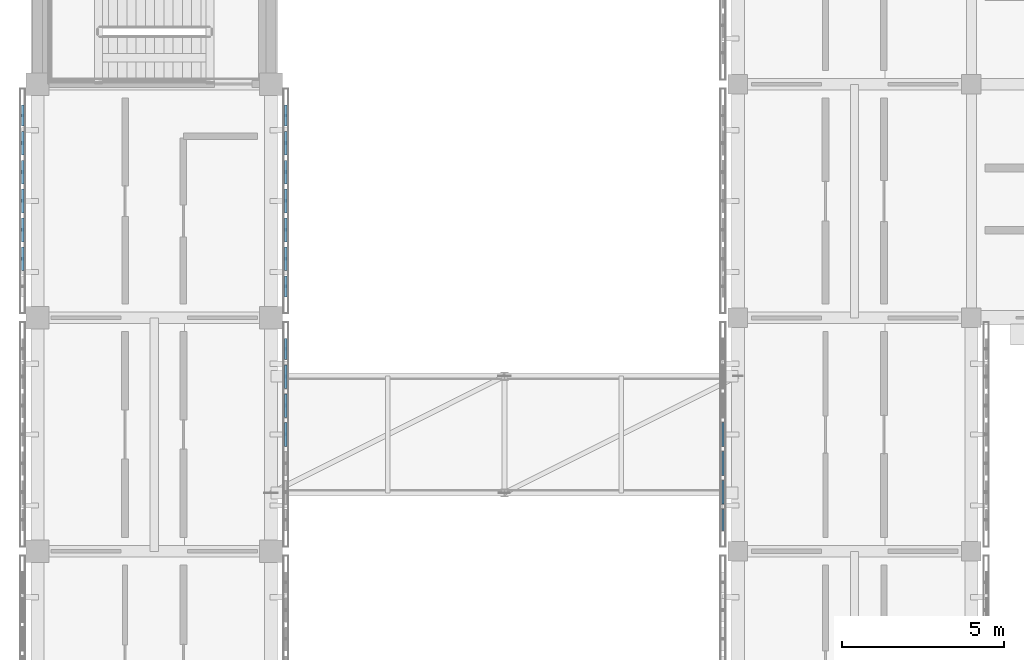
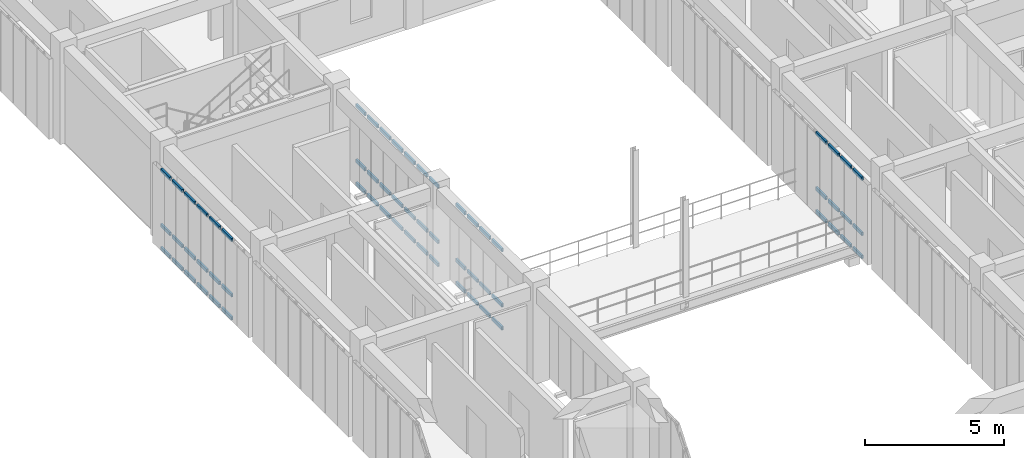
# One storey, part 80 of 171: 63 members, 4 elements without a shape of their own.
"""IFC4 building model written with IfcOpenShell, lengths in metres."""

from ifc_helpers import new_model, si_unit, direction, frame, origin, origin_2d, place, context, subcontext, project, spatial, hollow_rectangle, extrude, material, material_profile, profile_set, type_object, element, aggregate, save


model = new_model("IFC4")

# Units and contexts
model_context = context("Model", 3, precision=1e-05, world=origin(), true_north=direction((0.0, 1.0)))
body_context = subcontext(model_context, "Body", "Model", "MODEL_VIEW")
ifc_project = project(units=[si_unit("LENGTHUNIT", "METRE"), si_unit("AREAUNIT", "SQUARE_METRE"), si_unit("VOLUMEUNIT", "CUBIC_METRE"), si_unit("PLANEANGLEUNIT", "RADIAN"), si_unit("MASSUNIT", "GRAM", prefix="KILO")], contexts=[model_context])

# Site, building, storey
site_placement = place(None, origin())
site = spatial("IfcSite", under=ifc_project, at=site_placement, CompositionType="ELEMENT")
building_placement = place(site_placement, origin())
building = spatial("IfcBuilding", under=site, at=building_placement, Name="Aldebral Square Health Centre", CompositionType="ELEMENT")
storey_placement = place(building_placement, frame((0.0, 0.0, 4.5)))
storey = spatial("IfcBuildingStorey", under=building, at=storey_placement, Name="L01", CompositionType="ELEMENT", Elevation=4.5)

# Curtain wall, members
ifc_material_1 = material(Name="Aluminium and low-E solar glass", Category="aluminium")
curtain_wall_type = type_object("IfcCurtainWallType", Name="CW-FIN-SYS", PredefinedType="USERDEFINED", material=ifc_material_1)
curtain_wall_1_placement = place(storey_placement, origin())
curtain_wall_1 = element("IfcCurtainWall", 1, at=curtain_wall_1_placement, inside=storey, type_object=curtain_wall_type, Name="L01 V4 finned curtain wall L01-V4-00-11-E", ObjectType="SOLAR_CURTAIN_WALL", PredefinedType="USERDEFINED")
ifc_material_2 = material(Name="Anodised aluminium transom", Category="aluminium")
ifc_material_profile = material_profile(ifc_material_2, hollow_rectangle(XDim=0.074951171875, YDim=0.14990234375, WallThickness=0.00390625, at=origin_2d()), Name="CWT 75x150x4")
ifc_profile_set = profile_set([ifc_material_profile], Name="Anodised aluminium transom")
member_type = type_object("IfcMemberType", Name="CWT-STD", PredefinedType="USERDEFINED", material=ifc_profile_set)
member_1_placement = place(storey_placement, frame((7.659912109375, 82.434326171875, 0.03759765625), z_axis=(0.0, 1.0, 0.0), x_axis=(-1.0, 0.0, 0.0)))
member_1 = element("IfcMember", 2, at=member_1_placement, type_object=member_type, Name="CW1 transom 4.1", ObjectType="TRANSOM", PredefinedType="USERDEFINED", context=body_context, shape_type="SweptSolid", body=[
    extrude(hollow_rectangle(XDim=0.074951171875, YDim=0.14990234375, WallThickness=0.00390625, at=origin_2d()), origin(), (0.0, 0.0, 1.0), 0.7314453125),
])
member_2_placement = place(storey_placement, frame((7.659912109375, 82.434326171875, 1.050048828125), z_axis=(0.0, 1.0, 0.0), x_axis=(-1.0, 0.0, 0.0)))
member_2 = element("IfcMember", 3, at=member_2_placement, type_object=member_type, Name="CW1 transom 4.2", ObjectType="TRANSOM", PredefinedType="USERDEFINED", context=body_context, shape_type="SweptSolid", body=[
    extrude(hollow_rectangle(XDim=0.074951171875, YDim=0.14990234375, WallThickness=0.00390625, at=origin_2d()), origin(), (0.0, 0.0, 1.0), 0.7314453125),
])
member_3_placement = place(storey_placement, frame((7.659912109375, 82.434326171875, 3.482421875), z_axis=(0.0, 1.0, 0.0), x_axis=(-1.0, 0.0, 0.0)))
member_3 = element("IfcMember", 4, at=member_3_placement, type_object=member_type, Name="CW1 transom 4.3", ObjectType="TRANSOM", PredefinedType="USERDEFINED", context=body_context, shape_type="SweptSolid", body=[
    extrude(hollow_rectangle(XDim=0.074951171875, YDim=0.14990234375, WallThickness=0.00390625, at=origin_2d()), origin(), (0.0, 0.0, 1.0), 0.7314453125),
])
member_4_placement = place(storey_placement, frame((7.659912109375, 83.32568359375, 0.03759765625), z_axis=(0.0, 1.0, 0.0), x_axis=(-1.0, 0.0, 0.0)))
member_4 = element("IfcMember", 5, at=member_4_placement, type_object=member_type, Name="CW1 transom 5.1", ObjectType="TRANSOM", PredefinedType="USERDEFINED", context=body_context, shape_type="SweptSolid", body=[
    extrude(hollow_rectangle(XDim=0.074951171875, YDim=0.14990234375, WallThickness=0.00390625, at=origin_2d()), origin(), (0.0, 0.0, 1.0), 0.7314453125),
])
member_5_placement = place(storey_placement, frame((7.659912109375, 83.32568359375, 1.050048828125), z_axis=(0.0, 1.0, 0.0), x_axis=(-1.0, 0.0, 0.0)))
member_5 = element("IfcMember", 6, at=member_5_placement, type_object=member_type, Name="CW1 transom 5.2", ObjectType="TRANSOM", PredefinedType="USERDEFINED", context=body_context, shape_type="SweptSolid", body=[
    extrude(hollow_rectangle(XDim=0.074951171875, YDim=0.14990234375, WallThickness=0.00390625, at=origin_2d()), origin(), (0.0, 0.0, 1.0), 0.7314453125),
])
member_6_placement = place(storey_placement, frame((7.659912109375, 83.32568359375, 3.482421875), z_axis=(0.0, 1.0, 0.0), x_axis=(-1.0, 0.0, 0.0)))
member_6 = element("IfcMember", 7, at=member_6_placement, type_object=member_type, Name="CW1 transom 5.3", ObjectType="TRANSOM", PredefinedType="USERDEFINED", context=body_context, shape_type="SweptSolid", body=[
    extrude(hollow_rectangle(XDim=0.074951171875, YDim=0.14990234375, WallThickness=0.00390625, at=origin_2d()), origin(), (0.0, 0.0, 1.0), 0.7314453125),
])
member_7_placement = place(storey_placement, frame((7.659912109375, 84.217041015625, 0.03759765625), z_axis=(0.0, 1.0, 0.0), x_axis=(-1.0, 0.0, 0.0)))
member_7 = element("IfcMember", 8, at=member_7_placement, type_object=member_type, Name="CW1 transom 6.1", ObjectType="TRANSOM", PredefinedType="USERDEFINED", context=body_context, shape_type="SweptSolid", body=[
    extrude(hollow_rectangle(XDim=0.074951171875, YDim=0.14990234375, WallThickness=0.00390625, at=origin_2d()), origin(), (0.0, 0.0, 1.0), 0.7314453125),
])
member_8_placement = place(storey_placement, frame((7.659912109375, 84.217041015625, 1.050048828125), z_axis=(0.0, 1.0, 0.0), x_axis=(-1.0, 0.0, 0.0)))
member_8 = element("IfcMember", 9, at=member_8_placement, type_object=member_type, Name="CW1 transom 6.2", ObjectType="TRANSOM", PredefinedType="USERDEFINED", context=body_context, shape_type="SweptSolid", body=[
    extrude(hollow_rectangle(XDim=0.074951171875, YDim=0.14990234375, WallThickness=0.00390625, at=origin_2d()), origin(), (0.0, 0.0, 1.0), 0.7314453125),
])
member_9_placement = place(storey_placement, frame((7.659912109375, 84.217041015625, 3.482421875), z_axis=(0.0, 1.0, 0.0), x_axis=(-1.0, 0.0, 0.0)))
member_9 = element("IfcMember", 10, at=member_9_placement, type_object=member_type, Name="CW1 transom 6.3", ObjectType="TRANSOM", PredefinedType="USERDEFINED", context=body_context, shape_type="SweptSolid", body=[
    extrude(hollow_rectangle(XDim=0.074951171875, YDim=0.14990234375, WallThickness=0.00390625, at=origin_2d()), origin(), (0.0, 0.0, 1.0), 0.7314453125),
])
member_10_placement = place(storey_placement, frame((7.659912109375, 85.108642578125, 0.03759765625), z_axis=(0.0, 1.0, 0.0), x_axis=(-1.0, 0.0, 0.0)))
member_10 = element("IfcMember", 11, at=member_10_placement, type_object=member_type, Name="CW1 transom 7.1", ObjectType="TRANSOM", PredefinedType="USERDEFINED", context=body_context, shape_type="SweptSolid", body=[
    extrude(hollow_rectangle(XDim=0.074951171875, YDim=0.14990234375, WallThickness=0.00390625, at=origin_2d()), origin(), (0.0, 0.0, 1.0), 0.6513671875),
])
member_11_placement = place(storey_placement, frame((7.659912109375, 85.108642578125, 1.050048828125), z_axis=(0.0, 1.0, 0.0), x_axis=(-1.0, 0.0, 0.0)))
member_11 = element("IfcMember", 12, at=member_11_placement, type_object=member_type, Name="CW1 transom 7.2", ObjectType="TRANSOM", PredefinedType="USERDEFINED", context=body_context, shape_type="SweptSolid", body=[
    extrude(hollow_rectangle(XDim=0.074951171875, YDim=0.14990234375, WallThickness=0.00390625, at=origin_2d()), origin(), (0.0, 0.0, 1.0), 0.6513671875),
])
member_12_placement = place(storey_placement, frame((7.659912109375, 85.108642578125, 3.482421875), z_axis=(0.0, 1.0, 0.0), x_axis=(-1.0, 0.0, 0.0)))
member_12 = element("IfcMember", 13, at=member_12_placement, type_object=member_type, Name="CW1 transom 7.3", ObjectType="TRANSOM", PredefinedType="USERDEFINED", context=body_context, shape_type="SweptSolid", body=[
    extrude(hollow_rectangle(XDim=0.074951171875, YDim=0.14990234375, WallThickness=0.00390625, at=origin_2d()), origin(), (0.0, 0.0, 1.0), 0.6513671875),
])
aggregate(curtain_wall_1, [member_1, member_2, member_3, member_4, member_5, member_6, member_7, member_8, member_9, member_10, member_11, member_12])

curtain_wall_2_placement = place(storey_placement, origin())
curtain_wall_2 = element("IfcCurtainWall", 14, at=curtain_wall_2_placement, inside=storey, type_object=curtain_wall_type, Name="L01 V4 finned curtain wall L01-V4-00-12-W", ObjectType="SOLAR_CURTAIN_WALL", PredefinedType="USERDEFINED")
member_13_placement = place(storey_placement, frame((-0.4599609375, 92.9599609375, 0.03759765625), z_axis=(0.0, -1.0, 0.0), x_axis=(1.0, 0.0, 0.0)))
member_13 = element("IfcMember", 15, at=member_13_placement, type_object=member_type, Name="CW1 transom 1.1", ObjectType="TRANSOM", PredefinedType="USERDEFINED", context=body_context, shape_type="SweptSolid", body=[
    extrude(hollow_rectangle(XDim=0.074951171875, YDim=0.14990234375, WallThickness=0.00390625, at=origin_2d()), origin(), (0.0, 0.0, 1.0), 0.6513671875),
])
member_14_placement = place(storey_placement, frame((-0.4599609375, 92.9599609375, 1.050048828125), z_axis=(0.0, -1.0, 0.0), x_axis=(1.0, 0.0, 0.0)))
member_14 = element("IfcMember", 16, at=member_14_placement, type_object=member_type, Name="CW1 transom 1.2", ObjectType="TRANSOM", PredefinedType="USERDEFINED", context=body_context, shape_type="SweptSolid", body=[
    extrude(hollow_rectangle(XDim=0.074951171875, YDim=0.14990234375, WallThickness=0.00390625, at=origin_2d()), origin(), (0.0, 0.0, 1.0), 0.6513671875),
])
member_15_placement = place(storey_placement, frame((-0.4599609375, 92.9599609375, 3.482421875), z_axis=(0.0, -1.0, 0.0), x_axis=(1.0, 0.0, 0.0)))
member_15 = element("IfcMember", 17, at=member_15_placement, type_object=member_type, Name="CW1 transom 1.3", ObjectType="TRANSOM", PredefinedType="USERDEFINED", context=body_context, shape_type="SweptSolid", body=[
    extrude(hollow_rectangle(XDim=0.074951171875, YDim=0.14990234375, WallThickness=0.00390625, at=origin_2d()), origin(), (0.0, 0.0, 1.0), 0.6513671875),
])
member_16_placement = place(storey_placement, frame((-0.4599609375, 92.148681640625, 0.03759765625), z_axis=(0.0, -1.0, 0.0), x_axis=(1.0, 0.0, 0.0)))
member_16 = element("IfcMember", 18, at=member_16_placement, type_object=member_type, Name="CW1 transom 2.1", ObjectType="TRANSOM", PredefinedType="USERDEFINED", context=body_context, shape_type="SweptSolid", body=[
    extrude(hollow_rectangle(XDim=0.074951171875, YDim=0.14990234375, WallThickness=0.00390625, at=origin_2d()), origin(), (0.0, 0.0, 1.0), 0.7314453125),
])
member_17_placement = place(storey_placement, frame((-0.4599609375, 92.148681640625, 1.050048828125), z_axis=(0.0, -1.0, 0.0), x_axis=(1.0, 0.0, 0.0)))
member_17 = element("IfcMember", 19, at=member_17_placement, type_object=member_type, Name="CW1 transom 2.2", ObjectType="TRANSOM", PredefinedType="USERDEFINED", context=body_context, shape_type="SweptSolid", body=[
    extrude(hollow_rectangle(XDim=0.074951171875, YDim=0.14990234375, WallThickness=0.00390625, at=origin_2d()), origin(), (0.0, 0.0, 1.0), 0.7314453125),
])
member_18_placement = place(storey_placement, frame((-0.4599609375, 92.148681640625, 3.482421875), z_axis=(0.0, -1.0, 0.0), x_axis=(1.0, 0.0, 0.0)))
member_18 = element("IfcMember", 20, at=member_18_placement, type_object=member_type, Name="CW1 transom 2.3", ObjectType="TRANSOM", PredefinedType="USERDEFINED", context=body_context, shape_type="SweptSolid", body=[
    extrude(hollow_rectangle(XDim=0.074951171875, YDim=0.14990234375, WallThickness=0.00390625, at=origin_2d()), origin(), (0.0, 0.0, 1.0), 0.7314453125),
])
member_19_placement = place(storey_placement, frame((-0.4599609375, 91.257080078125, 0.03759765625), z_axis=(0.0, -1.0, 0.0), x_axis=(1.0, 0.0, 0.0)))
member_19 = element("IfcMember", 21, at=member_19_placement, type_object=member_type, Name="CW1 transom 3.1", ObjectType="TRANSOM", PredefinedType="USERDEFINED", context=body_context, shape_type="SweptSolid", body=[
    extrude(hollow_rectangle(XDim=0.074951171875, YDim=0.14990234375, WallThickness=0.00390625, at=origin_2d()), origin(), (0.0, 0.0, 1.0), 0.7314453125),
])
member_20_placement = place(storey_placement, frame((-0.4599609375, 91.257080078125, 1.050048828125), z_axis=(0.0, -1.0, 0.0), x_axis=(1.0, 0.0, 0.0)))
member_20 = element("IfcMember", 22, at=member_20_placement, type_object=member_type, Name="CW1 transom 3.2", ObjectType="TRANSOM", PredefinedType="USERDEFINED", context=body_context, shape_type="SweptSolid", body=[
    extrude(hollow_rectangle(XDim=0.074951171875, YDim=0.14990234375, WallThickness=0.00390625, at=origin_2d()), origin(), (0.0, 0.0, 1.0), 0.7314453125),
])
member_21_placement = place(storey_placement, frame((-0.4599609375, 91.257080078125, 3.482421875), z_axis=(0.0, -1.0, 0.0), x_axis=(1.0, 0.0, 0.0)))
member_21 = element("IfcMember", 23, at=member_21_placement, type_object=member_type, Name="CW1 transom 3.3", ObjectType="TRANSOM", PredefinedType="USERDEFINED", context=body_context, shape_type="SweptSolid", body=[
    extrude(hollow_rectangle(XDim=0.074951171875, YDim=0.14990234375, WallThickness=0.00390625, at=origin_2d()), origin(), (0.0, 0.0, 1.0), 0.7314453125),
])
member_22_placement = place(storey_placement, frame((-0.4599609375, 90.36572265625, 0.03759765625), z_axis=(0.0, -1.0, 0.0), x_axis=(1.0, 0.0, 0.0)))
member_22 = element("IfcMember", 24, at=member_22_placement, type_object=member_type, Name="CW1 transom 4.1", ObjectType="TRANSOM", PredefinedType="USERDEFINED", context=body_context, shape_type="SweptSolid", body=[
    extrude(hollow_rectangle(XDim=0.074951171875, YDim=0.14990234375, WallThickness=0.00390625, at=origin_2d()), origin(), (0.0, 0.0, 1.0), 0.7314453125),
])
member_23_placement = place(storey_placement, frame((-0.4599609375, 90.36572265625, 1.050048828125), z_axis=(0.0, -1.0, 0.0), x_axis=(1.0, 0.0, 0.0)))
member_23 = element("IfcMember", 25, at=member_23_placement, type_object=member_type, Name="CW1 transom 4.2", ObjectType="TRANSOM", PredefinedType="USERDEFINED", context=body_context, shape_type="SweptSolid", body=[
    extrude(hollow_rectangle(XDim=0.074951171875, YDim=0.14990234375, WallThickness=0.00390625, at=origin_2d()), origin(), (0.0, 0.0, 1.0), 0.7314453125),
])
member_24_placement = place(storey_placement, frame((-0.4599609375, 90.36572265625, 3.482421875), z_axis=(0.0, -1.0, 0.0), x_axis=(1.0, 0.0, 0.0)))
member_24 = element("IfcMember", 26, at=member_24_placement, type_object=member_type, Name="CW1 transom 4.3", ObjectType="TRANSOM", PredefinedType="USERDEFINED", context=body_context, shape_type="SweptSolid", body=[
    extrude(hollow_rectangle(XDim=0.074951171875, YDim=0.14990234375, WallThickness=0.00390625, at=origin_2d()), origin(), (0.0, 0.0, 1.0), 0.7314453125),
])
member_25_placement = place(storey_placement, frame((-0.4599609375, 89.474365234375, 0.03759765625), z_axis=(0.0, -1.0, 0.0), x_axis=(1.0, 0.0, 0.0)))
member_25 = element("IfcMember", 27, at=member_25_placement, type_object=member_type, Name="CW1 transom 5.1", ObjectType="TRANSOM", PredefinedType="USERDEFINED", context=body_context, shape_type="SweptSolid", body=[
    extrude(hollow_rectangle(XDim=0.074951171875, YDim=0.14990234375, WallThickness=0.00390625, at=origin_2d()), origin(), (0.0, 0.0, 1.0), 0.7314453125),
])
member_26_placement = place(storey_placement, frame((-0.4599609375, 89.474365234375, 1.050048828125), z_axis=(0.0, -1.0, 0.0), x_axis=(1.0, 0.0, 0.0)))
member_26 = element("IfcMember", 28, at=member_26_placement, type_object=member_type, Name="CW1 transom 5.2", ObjectType="TRANSOM", PredefinedType="USERDEFINED", context=body_context, shape_type="SweptSolid", body=[
    extrude(hollow_rectangle(XDim=0.074951171875, YDim=0.14990234375, WallThickness=0.00390625, at=origin_2d()), origin(), (0.0, 0.0, 1.0), 0.7314453125),
])
member_27_placement = place(storey_placement, frame((-0.4599609375, 89.474365234375, 3.482421875), z_axis=(0.0, -1.0, 0.0), x_axis=(1.0, 0.0, 0.0)))
member_27 = element("IfcMember", 29, at=member_27_placement, type_object=member_type, Name="CW1 transom 5.3", ObjectType="TRANSOM", PredefinedType="USERDEFINED", context=body_context, shape_type="SweptSolid", body=[
    extrude(hollow_rectangle(XDim=0.074951171875, YDim=0.14990234375, WallThickness=0.00390625, at=origin_2d()), origin(), (0.0, 0.0, 1.0), 0.7314453125),
])
member_28_placement = place(storey_placement, frame((-0.4599609375, 88.582763671875, 0.03759765625), z_axis=(0.0, -1.0, 0.0), x_axis=(1.0, 0.0, 0.0)))
member_28 = element("IfcMember", 30, at=member_28_placement, type_object=member_type, Name="CW1 transom 6.1", ObjectType="TRANSOM", PredefinedType="USERDEFINED", context=body_context, shape_type="SweptSolid", body=[
    extrude(hollow_rectangle(XDim=0.074951171875, YDim=0.14990234375, WallThickness=0.00390625, at=origin_2d()), origin(), (0.0, 0.0, 1.0), 0.7314453125),
])
member_29_placement = place(storey_placement, frame((-0.4599609375, 88.582763671875, 1.050048828125), z_axis=(0.0, -1.0, 0.0), x_axis=(1.0, 0.0, 0.0)))
member_29 = element("IfcMember", 31, at=member_29_placement, type_object=member_type, Name="CW1 transom 6.2", ObjectType="TRANSOM", PredefinedType="USERDEFINED", context=body_context, shape_type="SweptSolid", body=[
    extrude(hollow_rectangle(XDim=0.074951171875, YDim=0.14990234375, WallThickness=0.00390625, at=origin_2d()), origin(), (0.0, 0.0, 1.0), 0.7314453125),
])
member_30_placement = place(storey_placement, frame((-0.4599609375, 88.582763671875, 3.482421875), z_axis=(0.0, -1.0, 0.0), x_axis=(1.0, 0.0, 0.0)))
member_30 = element("IfcMember", 32, at=member_30_placement, type_object=member_type, Name="CW1 transom 6.3", ObjectType="TRANSOM", PredefinedType="USERDEFINED", context=body_context, shape_type="SweptSolid", body=[
    extrude(hollow_rectangle(XDim=0.074951171875, YDim=0.14990234375, WallThickness=0.00390625, at=origin_2d()), origin(), (0.0, 0.0, 1.0), 0.7314453125),
])
aggregate(curtain_wall_2, [member_13, member_14, member_15, member_16, member_17, member_18, member_19, member_20, member_21, member_22, member_23, member_24, member_25, member_26, member_27, member_28, member_29, member_30])

curtain_wall_3_placement = place(storey_placement, origin())
curtain_wall_3 = element("IfcCurtainWall", 33, at=curtain_wall_3_placement, inside=storey, type_object=curtain_wall_type, Name="L01 V4 finned curtain wall L01-V4-00-12-E", ObjectType="SOLAR_CURTAIN_WALL", PredefinedType="USERDEFINED")
member_31_placement = place(storey_placement, frame((7.659912109375, 87.0400390625, 0.03759765625), z_axis=(0.0, 1.0, 0.0), x_axis=(-1.0, 0.0, 0.0)))
member_31 = element("IfcMember", 34, at=member_31_placement, type_object=member_type, Name="CW1 transom 1.1", ObjectType="TRANSOM", PredefinedType="USERDEFINED", context=body_context, shape_type="SweptSolid", body=[
    extrude(hollow_rectangle(XDim=0.074951171875, YDim=0.14990234375, WallThickness=0.00390625, at=origin_2d()), origin(), (0.0, 0.0, 1.0), 0.6513671875),
])
member_32_placement = place(storey_placement, frame((7.659912109375, 87.0400390625, 1.050048828125), z_axis=(0.0, 1.0, 0.0), x_axis=(-1.0, 0.0, 0.0)))
member_32 = element("IfcMember", 35, at=member_32_placement, type_object=member_type, Name="CW1 transom 1.2", ObjectType="TRANSOM", PredefinedType="USERDEFINED", context=body_context, shape_type="SweptSolid", body=[
    extrude(hollow_rectangle(XDim=0.074951171875, YDim=0.14990234375, WallThickness=0.00390625, at=origin_2d()), origin(), (0.0, 0.0, 1.0), 0.6513671875),
])
member_33_placement = place(storey_placement, frame((7.659912109375, 87.0400390625, 3.482421875), z_axis=(0.0, 1.0, 0.0), x_axis=(-1.0, 0.0, 0.0)))
member_33 = element("IfcMember", 36, at=member_33_placement, type_object=member_type, Name="CW1 transom 1.3", ObjectType="TRANSOM", PredefinedType="USERDEFINED", context=body_context, shape_type="SweptSolid", body=[
    extrude(hollow_rectangle(XDim=0.074951171875, YDim=0.14990234375, WallThickness=0.00390625, at=origin_2d()), origin(), (0.0, 0.0, 1.0), 0.6513671875),
])
member_34_placement = place(storey_placement, frame((7.659912109375, 87.851318359375, 0.03759765625), z_axis=(0.0, 1.0, 0.0), x_axis=(-1.0, 0.0, 0.0)))
member_34 = element("IfcMember", 37, at=member_34_placement, type_object=member_type, Name="CW1 transom 2.1", ObjectType="TRANSOM", PredefinedType="USERDEFINED", context=body_context, shape_type="SweptSolid", body=[
    extrude(hollow_rectangle(XDim=0.074951171875, YDim=0.14990234375, WallThickness=0.00390625, at=origin_2d()), origin(), (0.0, 0.0, 1.0), 0.7314453125),
])
member_35_placement = place(storey_placement, frame((7.659912109375, 87.851318359375, 1.050048828125), z_axis=(0.0, 1.0, 0.0), x_axis=(-1.0, 0.0, 0.0)))
member_35 = element("IfcMember", 38, at=member_35_placement, type_object=member_type, Name="CW1 transom 2.2", ObjectType="TRANSOM", PredefinedType="USERDEFINED", context=body_context, shape_type="SweptSolid", body=[
    extrude(hollow_rectangle(XDim=0.074951171875, YDim=0.14990234375, WallThickness=0.00390625, at=origin_2d()), origin(), (0.0, 0.0, 1.0), 0.7314453125),
])
member_36_placement = place(storey_placement, frame((7.659912109375, 87.851318359375, 3.482421875), z_axis=(0.0, 1.0, 0.0), x_axis=(-1.0, 0.0, 0.0)))
member_36 = element("IfcMember", 39, at=member_36_placement, type_object=member_type, Name="CW1 transom 2.3", ObjectType="TRANSOM", PredefinedType="USERDEFINED", context=body_context, shape_type="SweptSolid", body=[
    extrude(hollow_rectangle(XDim=0.074951171875, YDim=0.14990234375, WallThickness=0.00390625, at=origin_2d()), origin(), (0.0, 0.0, 1.0), 0.7314453125),
])
member_37_placement = place(storey_placement, frame((7.659912109375, 88.742919921875, 0.03759765625), z_axis=(0.0, 1.0, 0.0), x_axis=(-1.0, 0.0, 0.0)))
member_37 = element("IfcMember", 40, at=member_37_placement, type_object=member_type, Name="CW1 transom 3.1", ObjectType="TRANSOM", PredefinedType="USERDEFINED", context=body_context, shape_type="SweptSolid", body=[
    extrude(hollow_rectangle(XDim=0.074951171875, YDim=0.14990234375, WallThickness=0.00390625, at=origin_2d()), origin(), (0.0, 0.0, 1.0), 0.7314453125),
])
member_38_placement = place(storey_placement, frame((7.659912109375, 88.742919921875, 1.050048828125), z_axis=(0.0, 1.0, 0.0), x_axis=(-1.0, 0.0, 0.0)))
member_38 = element("IfcMember", 41, at=member_38_placement, type_object=member_type, Name="CW1 transom 3.2", ObjectType="TRANSOM", PredefinedType="USERDEFINED", context=body_context, shape_type="SweptSolid", body=[
    extrude(hollow_rectangle(XDim=0.074951171875, YDim=0.14990234375, WallThickness=0.00390625, at=origin_2d()), origin(), (0.0, 0.0, 1.0), 0.7314453125),
])
member_39_placement = place(storey_placement, frame((7.659912109375, 88.742919921875, 3.482421875), z_axis=(0.0, 1.0, 0.0), x_axis=(-1.0, 0.0, 0.0)))
member_39 = element("IfcMember", 42, at=member_39_placement, type_object=member_type, Name="CW1 transom 3.3", ObjectType="TRANSOM", PredefinedType="USERDEFINED", context=body_context, shape_type="SweptSolid", body=[
    extrude(hollow_rectangle(XDim=0.074951171875, YDim=0.14990234375, WallThickness=0.00390625, at=origin_2d()), origin(), (0.0, 0.0, 1.0), 0.7314453125),
])
member_40_placement = place(storey_placement, frame((7.659912109375, 89.63427734375, 0.03759765625), z_axis=(0.0, 1.0, 0.0), x_axis=(-1.0, 0.0, 0.0)))
member_40 = element("IfcMember", 43, at=member_40_placement, type_object=member_type, Name="CW1 transom 4.1", ObjectType="TRANSOM", PredefinedType="USERDEFINED", context=body_context, shape_type="SweptSolid", body=[
    extrude(hollow_rectangle(XDim=0.074951171875, YDim=0.14990234375, WallThickness=0.00390625, at=origin_2d()), origin(), (0.0, 0.0, 1.0), 0.7314453125),
])
member_41_placement = place(storey_placement, frame((7.659912109375, 89.63427734375, 1.050048828125), z_axis=(0.0, 1.0, 0.0), x_axis=(-1.0, 0.0, 0.0)))
member_41 = element("IfcMember", 44, at=member_41_placement, type_object=member_type, Name="CW1 transom 4.2", ObjectType="TRANSOM", PredefinedType="USERDEFINED", context=body_context, shape_type="SweptSolid", body=[
    extrude(hollow_rectangle(XDim=0.074951171875, YDim=0.14990234375, WallThickness=0.00390625, at=origin_2d()), origin(), (0.0, 0.0, 1.0), 0.7314453125),
])
member_42_placement = place(storey_placement, frame((7.659912109375, 89.63427734375, 3.482421875), z_axis=(0.0, 1.0, 0.0), x_axis=(-1.0, 0.0, 0.0)))
member_42 = element("IfcMember", 45, at=member_42_placement, type_object=member_type, Name="CW1 transom 4.3", ObjectType="TRANSOM", PredefinedType="USERDEFINED", context=body_context, shape_type="SweptSolid", body=[
    extrude(hollow_rectangle(XDim=0.074951171875, YDim=0.14990234375, WallThickness=0.00390625, at=origin_2d()), origin(), (0.0, 0.0, 1.0), 0.7314453125),
])
member_43_placement = place(storey_placement, frame((7.659912109375, 90.525634765625, 0.03759765625), z_axis=(0.0, 1.0, 0.0), x_axis=(-1.0, 0.0, 0.0)))
member_43 = element("IfcMember", 46, at=member_43_placement, type_object=member_type, Name="CW1 transom 5.1", ObjectType="TRANSOM", PredefinedType="USERDEFINED", context=body_context, shape_type="SweptSolid", body=[
    extrude(hollow_rectangle(XDim=0.074951171875, YDim=0.14990234375, WallThickness=0.00390625, at=origin_2d()), origin(), (0.0, 0.0, 1.0), 0.7314453125),
])
member_44_placement = place(storey_placement, frame((7.659912109375, 90.525634765625, 1.050048828125), z_axis=(0.0, 1.0, 0.0), x_axis=(-1.0, 0.0, 0.0)))
member_44 = element("IfcMember", 47, at=member_44_placement, type_object=member_type, Name="CW1 transom 5.2", ObjectType="TRANSOM", PredefinedType="USERDEFINED", context=body_context, shape_type="SweptSolid", body=[
    extrude(hollow_rectangle(XDim=0.074951171875, YDim=0.14990234375, WallThickness=0.00390625, at=origin_2d()), origin(), (0.0, 0.0, 1.0), 0.7314453125),
])
member_45_placement = place(storey_placement, frame((7.659912109375, 90.525634765625, 3.482421875), z_axis=(0.0, 1.0, 0.0), x_axis=(-1.0, 0.0, 0.0)))
member_45 = element("IfcMember", 48, at=member_45_placement, type_object=member_type, Name="CW1 transom 5.3", ObjectType="TRANSOM", PredefinedType="USERDEFINED", context=body_context, shape_type="SweptSolid", body=[
    extrude(hollow_rectangle(XDim=0.074951171875, YDim=0.14990234375, WallThickness=0.00390625, at=origin_2d()), origin(), (0.0, 0.0, 1.0), 0.7314453125),
])
member_46_placement = place(storey_placement, frame((7.659912109375, 91.417236328125, 0.03759765625), z_axis=(0.0, 1.0, 0.0), x_axis=(-1.0, 0.0, 0.0)))
member_46 = element("IfcMember", 49, at=member_46_placement, type_object=member_type, Name="CW1 transom 6.1", ObjectType="TRANSOM", PredefinedType="USERDEFINED", context=body_context, shape_type="SweptSolid", body=[
    extrude(hollow_rectangle(XDim=0.074951171875, YDim=0.14990234375, WallThickness=0.00390625, at=origin_2d()), origin(), (0.0, 0.0, 1.0), 0.7314453125),
])
member_47_placement = place(storey_placement, frame((7.659912109375, 91.417236328125, 1.050048828125), z_axis=(0.0, 1.0, 0.0), x_axis=(-1.0, 0.0, 0.0)))
member_47 = element("IfcMember", 50, at=member_47_placement, type_object=member_type, Name="CW1 transom 6.2", ObjectType="TRANSOM", PredefinedType="USERDEFINED", context=body_context, shape_type="SweptSolid", body=[
    extrude(hollow_rectangle(XDim=0.074951171875, YDim=0.14990234375, WallThickness=0.00390625, at=origin_2d()), origin(), (0.0, 0.0, 1.0), 0.7314453125),
])
member_48_placement = place(storey_placement, frame((7.659912109375, 91.417236328125, 3.482421875), z_axis=(0.0, 1.0, 0.0), x_axis=(-1.0, 0.0, 0.0)))
member_48 = element("IfcMember", 51, at=member_48_placement, type_object=member_type, Name="CW1 transom 6.3", ObjectType="TRANSOM", PredefinedType="USERDEFINED", context=body_context, shape_type="SweptSolid", body=[
    extrude(hollow_rectangle(XDim=0.074951171875, YDim=0.14990234375, WallThickness=0.00390625, at=origin_2d()), origin(), (0.0, 0.0, 1.0), 0.7314453125),
])
member_49_placement = place(storey_placement, frame((7.659912109375, 92.30859375, 0.03759765625), z_axis=(0.0, 1.0, 0.0), x_axis=(-1.0, 0.0, 0.0)))
member_49 = element("IfcMember", 52, at=member_49_placement, type_object=member_type, Name="CW1 transom 7.1", ObjectType="TRANSOM", PredefinedType="USERDEFINED", context=body_context, shape_type="SweptSolid", body=[
    extrude(hollow_rectangle(XDim=0.074951171875, YDim=0.14990234375, WallThickness=0.00390625, at=origin_2d()), origin(), (0.0, 0.0, 1.0), 0.6513671875),
])
member_50_placement = place(storey_placement, frame((7.659912109375, 92.30859375, 1.050048828125), z_axis=(0.0, 1.0, 0.0), x_axis=(-1.0, 0.0, 0.0)))
member_50 = element("IfcMember", 53, at=member_50_placement, type_object=member_type, Name="CW1 transom 7.2", ObjectType="TRANSOM", PredefinedType="USERDEFINED", context=body_context, shape_type="SweptSolid", body=[
    extrude(hollow_rectangle(XDim=0.074951171875, YDim=0.14990234375, WallThickness=0.00390625, at=origin_2d()), origin(), (0.0, 0.0, 1.0), 0.6513671875),
])
member_51_placement = place(storey_placement, frame((7.659912109375, 92.30859375, 3.482421875), z_axis=(0.0, 1.0, 0.0), x_axis=(-1.0, 0.0, 0.0)))
member_51 = element("IfcMember", 54, at=member_51_placement, type_object=member_type, Name="CW1 transom 7.3", ObjectType="TRANSOM", PredefinedType="USERDEFINED", context=body_context, shape_type="SweptSolid", body=[
    extrude(hollow_rectangle(XDim=0.074951171875, YDim=0.14990234375, WallThickness=0.00390625, at=origin_2d()), origin(), (0.0, 0.0, 1.0), 0.6513671875),
])
aggregate(curtain_wall_3, [member_31, member_32, member_33, member_34, member_35, member_36, member_37, member_38, member_39, member_40, member_41, member_42, member_43, member_44, member_45, member_46, member_47, member_48, member_49, member_50, member_51])

curtain_wall_4_placement = place(storey_placement, origin())
curtain_wall_4 = element("IfcCurtainWall", 55, at=curtain_wall_4_placement, inside=storey, type_object=curtain_wall_type, Name="L01 V4 finned curtain wall L01-V4-03-11-W", ObjectType="SOLAR_CURTAIN_WALL", PredefinedType="USERDEFINED")
member_52_placement = place(storey_placement, frame((21.139892578125, 83.165771484375, 0.03759765625), z_axis=(0.0, -1.0, 0.0), x_axis=(1.0, 0.0, 0.0)))
member_52 = element("IfcMember", 56, at=member_52_placement, type_object=member_type, Name="CW1 transom 4.1", ObjectType="TRANSOM", PredefinedType="USERDEFINED", context=body_context, shape_type="SweptSolid", body=[
    extrude(hollow_rectangle(XDim=0.074951171875, YDim=0.14990234375, WallThickness=0.00390625, at=origin_2d()), origin(), (0.0, 0.0, 1.0), 0.7314453125),
])
member_53_placement = place(storey_placement, frame((21.139892578125, 83.165771484375, 1.050048828125), z_axis=(0.0, -1.0, 0.0), x_axis=(1.0, 0.0, 0.0)))
member_53 = element("IfcMember", 57, at=member_53_placement, type_object=member_type, Name="CW1 transom 4.2", ObjectType="TRANSOM", PredefinedType="USERDEFINED", context=body_context, shape_type="SweptSolid", body=[
    extrude(hollow_rectangle(XDim=0.074951171875, YDim=0.14990234375, WallThickness=0.00390625, at=origin_2d()), origin(), (0.0, 0.0, 1.0), 0.7314453125),
])
member_54_placement = place(storey_placement, frame((21.139892578125, 83.165771484375, 3.482421875), z_axis=(0.0, -1.0, 0.0), x_axis=(1.0, 0.0, 0.0)))
member_54 = element("IfcMember", 58, at=member_54_placement, type_object=member_type, Name="CW1 transom 4.3", ObjectType="TRANSOM", PredefinedType="USERDEFINED", context=body_context, shape_type="SweptSolid", body=[
    extrude(hollow_rectangle(XDim=0.074951171875, YDim=0.14990234375, WallThickness=0.00390625, at=origin_2d()), origin(), (0.0, 0.0, 1.0), 0.7314453125),
])
member_55_placement = place(storey_placement, frame((21.139892578125, 82.274169921875, 0.03759765625), z_axis=(0.0, -1.0, 0.0), x_axis=(1.0, 0.0, 0.0)))
member_55 = element("IfcMember", 59, at=member_55_placement, type_object=member_type, Name="CW1 transom 5.1", ObjectType="TRANSOM", PredefinedType="USERDEFINED", context=body_context, shape_type="SweptSolid", body=[
    extrude(hollow_rectangle(XDim=0.074951171875, YDim=0.14990234375, WallThickness=0.00390625, at=origin_2d()), origin(), (0.0, 0.0, 1.0), 0.731201171875),
])
member_56_placement = place(storey_placement, frame((21.139892578125, 82.274169921875, 1.050048828125), z_axis=(0.0, -1.0, 0.0), x_axis=(1.0, 0.0, 0.0)))
member_56 = element("IfcMember", 60, at=member_56_placement, type_object=member_type, Name="CW1 transom 5.2", ObjectType="TRANSOM", PredefinedType="USERDEFINED", context=body_context, shape_type="SweptSolid", body=[
    extrude(hollow_rectangle(XDim=0.074951171875, YDim=0.14990234375, WallThickness=0.00390625, at=origin_2d()), origin(), (0.0, 0.0, 1.0), 0.731201171875),
])
member_57_placement = place(storey_placement, frame((21.139892578125, 82.274169921875, 3.482421875), z_axis=(0.0, -1.0, 0.0), x_axis=(1.0, 0.0, 0.0)))
member_57 = element("IfcMember", 61, at=member_57_placement, type_object=member_type, Name="CW1 transom 5.3", ObjectType="TRANSOM", PredefinedType="USERDEFINED", context=body_context, shape_type="SweptSolid", body=[
    extrude(hollow_rectangle(XDim=0.074951171875, YDim=0.14990234375, WallThickness=0.00390625, at=origin_2d()), origin(), (0.0, 0.0, 1.0), 0.731201171875),
])
member_58_placement = place(storey_placement, frame((21.139892578125, 81.3828125, 0.03759765625), z_axis=(0.0, -1.0, 0.0), x_axis=(1.0, 0.0, 0.0)))
member_58 = element("IfcMember", 62, at=member_58_placement, type_object=member_type, Name="CW1 transom 6.1", ObjectType="TRANSOM", PredefinedType="USERDEFINED", context=body_context, shape_type="SweptSolid", body=[
    extrude(hollow_rectangle(XDim=0.074951171875, YDim=0.14990234375, WallThickness=0.00390625, at=origin_2d()), origin(), (0.0, 0.0, 1.0), 0.7314453125),
])
member_59_placement = place(storey_placement, frame((21.139892578125, 81.3828125, 1.050048828125), z_axis=(0.0, -1.0, 0.0), x_axis=(1.0, 0.0, 0.0)))
member_59 = element("IfcMember", 63, at=member_59_placement, type_object=member_type, Name="CW1 transom 6.2", ObjectType="TRANSOM", PredefinedType="USERDEFINED", context=body_context, shape_type="SweptSolid", body=[
    extrude(hollow_rectangle(XDim=0.074951171875, YDim=0.14990234375, WallThickness=0.00390625, at=origin_2d()), origin(), (0.0, 0.0, 1.0), 0.7314453125),
])
member_60_placement = place(storey_placement, frame((21.139892578125, 81.3828125, 3.482421875), z_axis=(0.0, -1.0, 0.0), x_axis=(1.0, 0.0, 0.0)))
member_60 = element("IfcMember", 64, at=member_60_placement, type_object=member_type, Name="CW1 transom 6.3", ObjectType="TRANSOM", PredefinedType="USERDEFINED", context=body_context, shape_type="SweptSolid", body=[
    extrude(hollow_rectangle(XDim=0.074951171875, YDim=0.14990234375, WallThickness=0.00390625, at=origin_2d()), origin(), (0.0, 0.0, 1.0), 0.7314453125),
])
member_61_placement = place(storey_placement, frame((21.139892578125, 80.491455078125, 0.03759765625), z_axis=(0.0, -1.0, 0.0), x_axis=(1.0, 0.0, 0.0)))
member_61 = element("IfcMember", 65, at=member_61_placement, type_object=member_type, Name="CW1 transom 7.1", ObjectType="TRANSOM", PredefinedType="USERDEFINED", context=body_context, shape_type="SweptSolid", body=[
    extrude(hollow_rectangle(XDim=0.074951171875, YDim=0.14990234375, WallThickness=0.00390625, at=origin_2d()), origin(), (0.0, 0.0, 1.0), 0.6513671875),
])
member_62_placement = place(storey_placement, frame((21.139892578125, 80.491455078125, 1.050048828125), z_axis=(0.0, -1.0, 0.0), x_axis=(1.0, 0.0, 0.0)))
member_62 = element("IfcMember", 66, at=member_62_placement, type_object=member_type, Name="CW1 transom 7.2", ObjectType="TRANSOM", PredefinedType="USERDEFINED", context=body_context, shape_type="SweptSolid", body=[
    extrude(hollow_rectangle(XDim=0.074951171875, YDim=0.14990234375, WallThickness=0.00390625, at=origin_2d()), origin(), (0.0, 0.0, 1.0), 0.6513671875),
])
member_63_placement = place(storey_placement, frame((21.139892578125, 80.491455078125, 3.482421875), z_axis=(0.0, -1.0, 0.0), x_axis=(1.0, 0.0, 0.0)))
member_63 = element("IfcMember", 67, at=member_63_placement, type_object=member_type, Name="CW1 transom 7.3", ObjectType="TRANSOM", PredefinedType="USERDEFINED", context=body_context, shape_type="SweptSolid", body=[
    extrude(hollow_rectangle(XDim=0.074951171875, YDim=0.14990234375, WallThickness=0.00390625, at=origin_2d()), origin(), (0.0, 0.0, 1.0), 0.6513671875),
])
aggregate(curtain_wall_4, [member_52, member_53, member_54, member_55, member_56, member_57, member_58, member_59, member_60, member_61, member_62, member_63])

save(model, "model.ifc")
